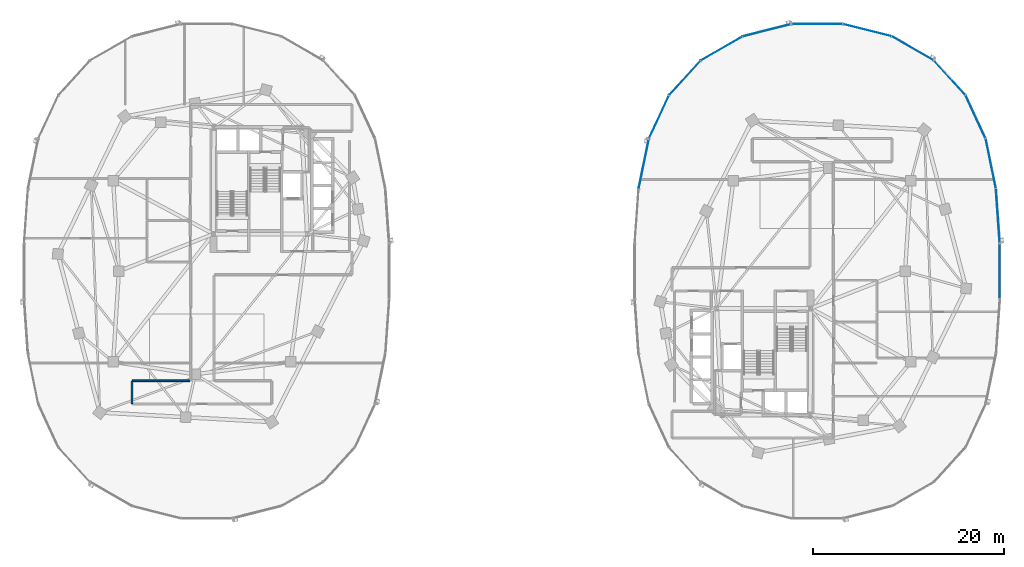
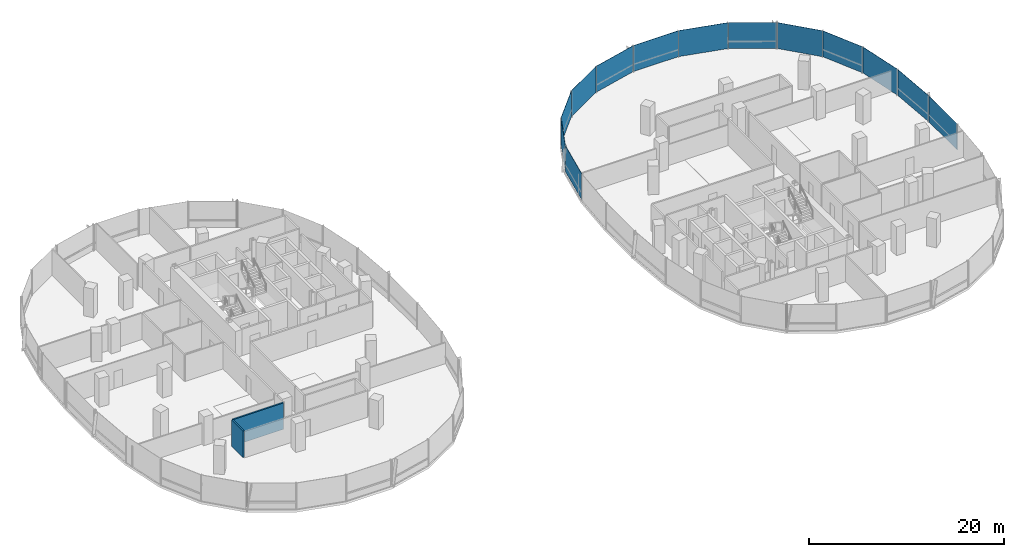
# One storey, part 10 of 21: 13 plates, 2 walls, 3 elements without a shape of their own.
"""IFC4 building model written with IfcOpenShell, lengths in metres."""

from ifc_helpers import new_model, si_unit, direction, frame, frame_2d, origin, origin_2d, place, context, subcontext, project, spatial, rectangle, extrude, material, layer, layer_set, type_object, element, aggregate, save


model = new_model("IFC4")

# Units and contexts
model_context = context("Model", 3, precision=1e-05, world=origin(), true_north=direction((0.0, 1.0)))
body_context = subcontext(model_context, "Body", "Model", "MODEL_VIEW")
ifc_project = project(units=[si_unit("LENGTHUNIT", "METRE"), si_unit("AREAUNIT", "SQUARE_METRE"), si_unit("VOLUMEUNIT", "CUBIC_METRE"), si_unit("PLANEANGLEUNIT", "RADIAN"), si_unit("MASSUNIT", "GRAM", prefix="KILO"), si_unit("THERMODYNAMICTEMPERATUREUNIT", "KELVIN"), si_unit("POWERUNIT", "WATT")], contexts=[model_context])

# Site, building, storey
site_placement = place(None, origin())
site = spatial("IfcSite", under=ifc_project, at=site_placement, CompositionType="ELEMENT")
building_placement = place(site_placement, origin())
building = spatial("IfcBuilding", under=site, at=building_placement, Name="Cundina Bronze Exchange", CompositionType="ELEMENT")
storey_placement = place(building_placement, frame((0.0, 0.0, 92.60009765625)))
storey = spatial("IfcBuildingStorey", under=building, at=storey_placement, Name="L23", CompositionType="ELEMENT", Elevation=92.60009765625)

# Curtain wall, plates
ifc_material_1 = material(Name="Anodised Bronze Aluminium 6063-T6", Category="aluminium")
curtain_wall_type = type_object("IfcCurtainWallType", Name="CWS-TRD-MID", PredefinedType="NOTDEFINED", material=ifc_material_1)
curtain_wall_1_placement = place(storey_placement, origin())
curtain_wall_1 = element("IfcCurtainWall", 1, at=curtain_wall_1_placement, inside=storey, type_object=curtain_wall_type, Name="L23 CW-03 Curtain Wall Run CWR-L23-E1", PredefinedType="NOTDEFINED")
ifc_material_2 = material(Name="Heat-Strengthened Solar-Control Bronze Safety Glass 28mm", Category="glass")
ifc_layer_1 = layer(ifc_material_2, 0.028076171875, Name="Heat-Strengthened Solar-Control Bronze Safety Glass 28mm", Category="glass")
ifc_layer_set_1 = layer_set([ifc_layer_1], Name="Heat-Strengthened Solar-Control Bronze Safety Glass 28mm")
plate_type_1 = type_object("IfcPlateType", Name="PLT-GLZ-VIS28", PredefinedType="CURTAIN_PANEL", material=ifc_layer_set_1)
plate_1_placement = place(storey_placement, frame((50.9267578125, 5.783935546875, 0.02001953125), z_axis=(0.0, 0.0, 1.0), x_axis=(-0.070278787473, 0.997527389113, 0.0)))
plate_1 = element("IfcPlate", 2, at=plate_1_placement, type_object=plate_type_1, Name="CW-03 Glazed Panel 1", PredefinedType="CURTAIN_PANEL", context=body_context, shape_type="SweptSolid", body=[
    extrude(rectangle(XDim=5.644287109375, YDim=0.028076171875, at=origin_2d()), origin(), (0.0, 0.0, 1.0), 3.260009765625),
])
plate_2_placement = place(storey_placement, frame((48.586181640625, 16.177734375, 0.02001953125), z_axis=(0.0, 0.0, 1.0), x_axis=(-0.42084583328, 0.907132175932, 0.0)))
plate_2 = element("IfcPlate", 3, at=plate_2_placement, type_object=plate_type_1, Name="CW-03 Glazed Panel 3", PredefinedType="CURTAIN_PANEL", context=body_context, shape_type="SweptSolid", body=[
    extrude(rectangle(XDim=4.966552734375, YDim=0.028076171875, at=origin_2d()), origin(), (0.0, 0.0, 1.0), 3.260009765625),
])
plate_3_placement = place(storey_placement, frame((45.8740234375, 20.267333984375, 0.02001953125), z_axis=(0.0, 0.0, 1.0), x_axis=(-0.674276610219, 0.73847887777, 0.0)))
plate_3 = element("IfcPlate", 4, at=plate_3_placement, type_object=plate_type_1, Name="CW-03 Glazed Panel 4", PredefinedType="CURTAIN_PANEL", context=body_context, shape_type="SweptSolid", body=[
    extrude(rectangle(XDim=4.86328125, YDim=0.028076171875, at=origin_2d()), origin(), (0.0, 0.0, 1.0), 3.260009765625),
])
plate_4_placement = place(storey_placement, frame((42.019287109375, 23.34423828125, 0.02001953125), z_axis=(0.0, 0.0, 1.0), x_axis=(-0.867105478933, 0.498124571171, 0.0)))
plate_4 = element("IfcPlate", 5, at=plate_4_placement, type_object=plate_type_1, Name="CW-03 Glazed Panel 5", PredefinedType="CURTAIN_PANEL", context=body_context, shape_type="SweptSolid", body=[
    extrude(rectangle(XDim=5.021240234375, YDim=0.028076171875, at=origin_2d()), origin(), (0.0, 0.0, 1.0), 3.260009765625),
])
plate_5_placement = place(storey_placement, frame((37.255615234375, 25.256591796875, 0.02001953125), z_axis=(0.0, 0.0, 1.0), x_axis=(-0.969488149345, 0.245138182011, 0.0)))
plate_5 = element("IfcPlate", 6, at=plate_5_placement, type_object=plate_type_1, Name="CW-03 Glazed Panel 6", PredefinedType="CURTAIN_PANEL", context=body_context, shape_type="SweptSolid", body=[
    extrude(rectangle(XDim=5.2333984375, YDim=0.028076171875, at=origin_2d()), origin(), (0.0, 0.0, 1.0), 3.260009765625),
])

curtain_wall_2_placement = place(storey_placement, origin())
curtain_wall_2 = element("IfcCurtainWall", 7, at=curtain_wall_2_placement, inside=storey, type_object=curtain_wall_type, Name="L23 CW-03 Curtain Wall Run CWR-L23-E2", PredefinedType="NOTDEFINED")
plate_6_placement = place(storey_placement, frame((21.980712890625, 23.34423828125, 0.02001953125), z_axis=(0.0, 0.0, 1.0), x_axis=(-0.867105478933, -0.498124571171, 0.0)))
plate_6 = element("IfcPlate", 8, at=plate_6_placement, type_object=plate_type_1, Name="CW-03 Glazed Panel 2", PredefinedType="CURTAIN_PANEL", context=body_context, shape_type="SweptSolid", body=[
    extrude(rectangle(XDim=5.021240234375, YDim=0.028076171875, at=origin_2d()), origin(), (0.0, 0.0, 1.0), 3.260009765625),
])
plate_7_placement = place(storey_placement, frame((18.1259765625, 20.267333984375, 0.02001953125), z_axis=(0.0, 0.0, 1.0), x_axis=(-0.674276610219, -0.73847887777, 0.0)))
plate_7 = element("IfcPlate", 9, at=plate_7_placement, type_object=plate_type_1, Name="CW-03 Glazed Panel 3", PredefinedType="CURTAIN_PANEL", context=body_context, shape_type="SweptSolid", body=[
    extrude(rectangle(XDim=4.86328125, YDim=0.028076171875, at=origin_2d()), origin(), (0.0, 0.0, 1.0), 3.260009765625),
])
plate_8_placement = place(storey_placement, frame((15.413818359375, 16.177734375, 0.02001953125), z_axis=(0.0, 0.0, 1.0), x_axis=(-0.42084583328, -0.907132175932, 0.0)))
plate_8 = element("IfcPlate", 10, at=plate_8_placement, type_object=plate_type_1, Name="CW-03 Glazed Panel 4", PredefinedType="CURTAIN_PANEL", context=body_context, shape_type="SweptSolid", body=[
    extrude(rectangle(XDim=4.966552734375, YDim=0.028076171875, at=origin_2d()), origin(), (0.0, 0.0, 1.0), 3.260009765625),
])
plate_9_placement = place(storey_placement, frame((13.81591796875, 11.269775390625, 0.02001953125), z_axis=(0.0, 0.0, 1.0), x_axis=(-0.201419845156, -0.979505000486, 0.0)))
plate_9 = element("IfcPlate", 11, at=plate_9_placement, type_object=plate_type_1, Name="CW-03 Glazed Panel 5", PredefinedType="CURTAIN_PANEL", context=body_context, shape_type="SweptSolid", body=[
    extrude(rectangle(XDim=5.306640625, YDim=0.028076171875, at=origin_2d()), origin(), (0.0, 0.0, 1.0), 3.260009765625),
])

# Curtain wall, plate
curtain_wall_3_placement = place(storey_placement, origin())
curtain_wall_3 = element("IfcCurtainWall", 12, at=curtain_wall_3_placement, inside=storey, type_object=curtain_wall_type, Name="L23 CW-03 Curtain Wall Run CWR-L23-E4", PredefinedType="NOTDEFINED")
plate_10_placement = place(storey_placement, frame((51.1279296875, 0.0, 0.02001953125), z_axis=(0.0, 0.0, 1.0), x_axis=(0.0, 1.0, 0.0)))
plate_10 = element("IfcPlate", 13, at=plate_10_placement, type_object=plate_type_1, Name="CW-03 Glazed Panel 7", PredefinedType="CURTAIN_PANEL", context=body_context, shape_type="SweptSolid", body=[
    extrude(rectangle(XDim=5.77587890625, YDim=0.028076171875, at=origin_2d()), origin(), (0.0, 0.0, 1.0), 3.260009765625),
])
aggregate(curtain_wall_3, [plate_10])

# Plate
ifc_material_3 = material(Name="Dark Bronze Spandrel Glass Panel 32mm", Category="glass")
ifc_layer_2 = layer(ifc_material_3, 0.031982421875, Name="Dark Bronze Spandrel Glass Panel 32mm", Category="glass")
ifc_layer_set_2 = layer_set([ifc_layer_2], Name="Dark Bronze Spandrel Glass Panel 32mm")
plate_type_2 = type_object("IfcPlateType", Name="PLT-SPN-BRZ32", PredefinedType="CURTAIN_PANEL", material=ifc_layer_set_2)
plate_11_placement = place(storey_placement, frame((50.18408203125, 11.269775390625, 0.02001953125), z_axis=(0.0, 0.0, 1.0), x_axis=(-0.201419845156, 0.979505000486, 0.0)))
plate_11 = element("IfcPlate", 14, at=plate_11_placement, type_object=plate_type_2, Name="CW-03 Glazed Panel 2", PredefinedType="CURTAIN_PANEL", context=body_context, shape_type="SweptSolid", body=[
    extrude(rectangle(XDim=5.306640625, YDim=0.031982421875, at=origin_2d()), origin(), (0.0, 0.0, 1.0), 3.260009765625),
])

plate_12_placement = place(storey_placement, frame((32.0, 25.905029296875, 0.02001953125), z_axis=(0.0, 0.0, 1.0), x_axis=(-1.0, 0.0, 0.0)))
plate_12 = element("IfcPlate", 15, at=plate_12_placement, type_object=plate_type_2, Name="CW-03 Glazed Panel 7", PredefinedType="CURTAIN_PANEL", context=body_context, shape_type="SweptSolid", body=[
    extrude(rectangle(XDim=5.323974609375, YDim=0.031982421875, at=origin_2d()), origin(), (0.0, 0.0, 1.0), 3.260009765625),
])

aggregate(curtain_wall_1, [plate_1, plate_11, plate_2, plate_3, plate_4, plate_5, plate_12])

plate_13_placement = place(storey_placement, frame((26.744384765625, 25.256591796875, 0.02001953125), z_axis=(0.0, 0.0, 1.0), x_axis=(-0.969488149345, -0.245138182011, 0.0)))
plate_13 = element("IfcPlate", 16, at=plate_13_placement, type_object=plate_type_2, Name="CW-03 Glazed Panel 1", PredefinedType="CURTAIN_PANEL", context=body_context, shape_type="SweptSolid", body=[
    extrude(rectangle(XDim=5.2333984375, YDim=0.031982421875, at=origin_2d()), origin(), (0.0, 0.0, 1.0), 3.260009765625),
])

aggregate(curtain_wall_2, [plate_13, plate_6, plate_7, plate_8, plate_9])

# Walls
ifc_material_4 = material(Name="Gypsum Fireboard Partition EI120")
ifc_layer_3 = layer(ifc_material_4, 0.179931640625, Name="Gypsum Fireboard Partition EI120")
ifc_layer_set_3 = layer_set([ifc_layer_3], Name="Gypsum Fireboard Partition EI120")
wall_type = type_object("IfcWallType", Name="WL-COR-180", PredefinedType="PARTITIONING", material=ifc_layer_set_3)
wall_1_placement = place(storey_placement, frame((-33.75, -11.47998046875, 0.0), z_axis=(0.0, 0.0, 1.0), x_axis=(-1.0, 0.0, 0.0)))
element("IfcWall", 17, at=wall_1_placement, inside=storey, type_object=wall_type, Name="L23 Interior Partition 022", PredefinedType="PARTITIONING", context=body_context, shape_type="SweptSolid", body=[
    extrude(rectangle(XDim=6.028564453125, YDim=0.179931640625, at=frame_2d((3.01416015625, 0.0))), origin(), (0.0, 0.0, 1.0), 3.2998046875),
])
wall_2_placement = place(storey_placement, frame((-39.820068359375, -11.521484375, 0.0), z_axis=(0.0, 0.0, 1.0), x_axis=(0.0, -1.0, 0.0)))
element("IfcWall", 18, at=wall_2_placement, inside=storey, type_object=wall_type, Name="L23 Interior Partition 024", PredefinedType="PARTITIONING", context=body_context, shape_type="SweptSolid", body=[
    extrude(rectangle(XDim=2.35693359375, YDim=0.179931640625, at=frame_2d((1.178466796875, 0.0))), origin(), (0.0, 0.0, 1.0), 3.2998046875),
])

save(model, "model.ifc")
